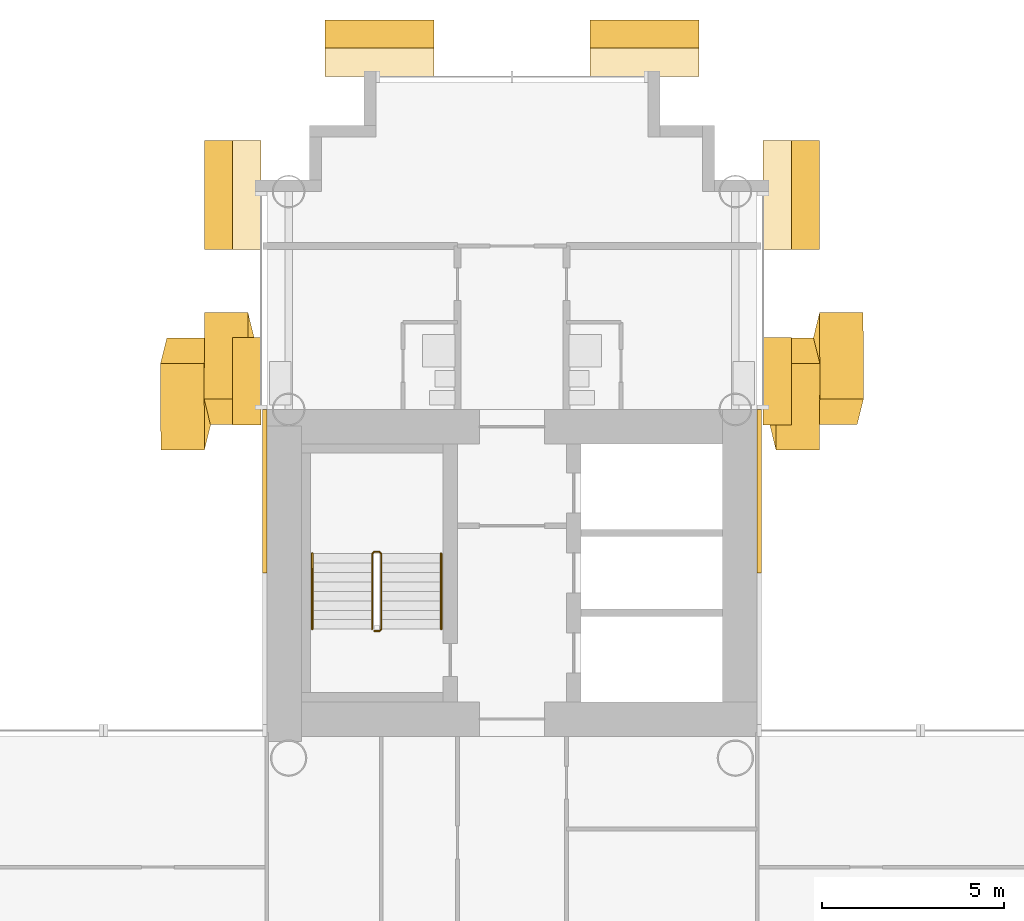
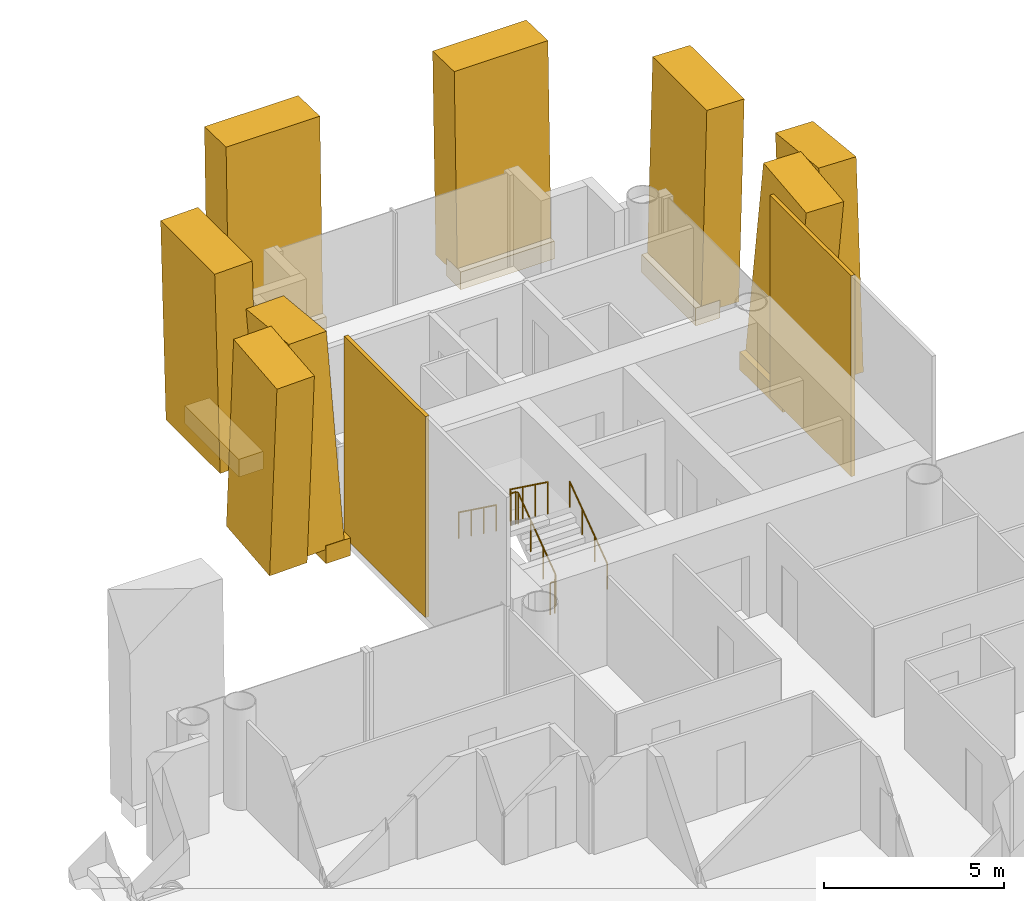
# One storey, part 19 of 20: 16 coverings, 3 railings.
"""IFC4 building model written with IfcOpenShell, lengths in metres."""

from ifc_helpers import new_model, si_unit, direction, frame, origin, origin_2d, place, context, subcontext, project, spatial, rectangle, circle, extrude, material, layer, layer_set, material_profile, profile_set, type_object, element, save


model = new_model("IFC4")

# Units and contexts
model_context = context("Model", 3, precision=1e-05, world=origin(), true_north=direction((0.0, 1.0)))
body_context = subcontext(model_context, "Body", "Model", "MODEL_VIEW")
ifc_project = project(units=[si_unit("LENGTHUNIT", "METRE"), si_unit("AREAUNIT", "SQUARE_METRE"), si_unit("VOLUMEUNIT", "CUBIC_METRE"), si_unit("PLANEANGLEUNIT", "RADIAN"), si_unit("MASSUNIT", "GRAM", prefix="KILO")], contexts=[model_context])

# Site, building, storey
site_placement = place(None, origin())
site = spatial("IfcSite", under=ifc_project, at=site_placement, CompositionType="ELEMENT")
building_placement = place(site_placement, origin())
building = spatial("IfcBuilding", under=site, at=building_placement, Name="Ipe Terrace Towers", CompositionType="ELEMENT")
storey_placement = place(building_placement, frame((0.0, 0.0, 100.39990234375)))
storey = spatial("IfcBuildingStorey", under=building, at=storey_placement, Name="L27", CompositionType="ELEMENT", Elevation=100.39990234375)

# Coverings
ifc_material_1 = material(Name="Concrete C50/60 precast, buff finish", Category="concrete")
ifc_layer = layer(ifc_material_1, 0.1201171875)
ifc_layer_set = layer_set([ifc_layer], Name="STONE CORE CLADDING 120")
covering_type_1 = type_object("IfcCoveringType", Name="STONE CORE CLADDING 120", PredefinedType="CLADDING", material=ifc_layer_set)
for number, where, z_axis, x_axis, name in (
    (1, (29.18994140625, 13.5, 0.0), (0.0, 0.0, 1.0), (0.0, -1.0, 0.0), "stone core cladding"),
    (2, (42.81005859375, 13.5, 0.0), (0.0, 0.0, 1.0), (0.0, 1.0, 0.0), "stone core cladding"),
):
    element("IfcCovering", number, at=place(storey_placement, frame(where, z_axis=z_axis, x_axis=x_axis)), inside=storey, type_object=covering_type_1, Name=name, PredefinedType="CLADDING", context=body_context, shape_type="SweptSolid", body=[
        extrude(rectangle(XDim=4.5009765625, YDim=0.1201171875, at=origin_2d()), origin(), (0.0, 0.0, 1.0), 6.800048828125),
    ])
ifc_material_2 = material(Name="Concrete C50/60 precast, buff finish", Category="concrete")
ifc_material_profile_1 = material_profile(ifc_material_2, rectangle(XDim=2.39990234375, YDim=1.199951171875, at=origin_2d()), Name="STONE FIN 2400 x 1200")
ifc_profile_set_1 = profile_set([ifc_material_profile_1], Name="Concrete C50/60 precast, buff finish")
covering_type_2 = type_object("IfcCoveringType", Name="STONE FIN 2400 x 1200", PredefinedType="USERDEFINED", material=ifc_profile_set_1)
for number, where, z_axis, x_axis, name in (
    (3, (27.10009765625, 16.52490234375, 0.0), (-0.025312794458, -0.102500751607, 0.994410809654), (0.002608318659, -0.994732926931, -0.102467559519), "stone fin"),
    (4, (28.300048828125, 16.52490234375, 0.0), (-0.025312701811, 0.10253607842, 0.994407170001), (-0.002609217613, -0.994729286099, 0.102502874893), "stone fin"),
    (5, (43.699951171875, 16.52490234375, 0.0), (0.025312794458, -0.102500751607, 0.994410809654), (0.002608318659, 0.994732926931, 0.102467559519), "stone fin"),
    (6, (44.89990234375, 16.52490234375, 0.0), (0.025312701811, 0.10253607842, 0.994407170001), (-0.002609217613, 0.994729286099, -0.102502874893), "stone fin"),
):
    element("IfcCovering", number, at=place(storey_placement, frame(where, z_axis=z_axis, x_axis=x_axis)), inside=storey, type_object=covering_type_2, Name=name, ObjectType="FIN", PredefinedType="USERDEFINED", context=body_context, shape_type="SweptSolid", body=[
        extrude(rectangle(XDim=2.39990234375, YDim=1.199951171875, at=origin_2d()), origin(), (0.0, 0.0, 1.0), 6.83837890625),
    ])
ifc_material_3 = material(Name="Concrete C50/60 precast, buff finish", Category="concrete")
ifc_material_profile_2 = material_profile(ifc_material_3, rectangle(XDim=3.0, YDim=1.199951171875, at=origin_2d()), Name="STONE FIN CORNER 3000 x 1200")
ifc_profile_set_2 = profile_set([ifc_material_profile_2], Name="Concrete C50/60 precast, buff finish")
covering_type_3 = type_object("IfcCoveringType", Name="STONE FIN CORNER 3000 x 1200", PredefinedType="USERDEFINED", material=ifc_profile_set_2)
for number, where, z_axis, x_axis, name in (
    (7, (28.300048828125, 21.64990234375, 0.0), (-0.025446824744, 0.0, 0.999676177125), (0.0, -1.0, 0.0), "stone fin"),
    (8, (32.35009765625, 25.699951171875, 0.0), (0.0, 0.025446824744, 0.999676177125), (-1.0, 0.0, 0.0), "stone fin"),
    (9, (39.64990234375, 25.699951171875, 0.0), (0.0, 0.025446824744, 0.999676177125), (-1.0, 0.0, 0.0), "stone fin"),
    (10, (43.699951171875, 21.64990234375, 0.0), (0.025446824744, 0.0, 0.999676177125), (0.0, 1.0, 0.0), "stone fin"),
):
    element("IfcCovering", number, at=place(storey_placement, frame(where, z_axis=z_axis, x_axis=x_axis)), inside=storey, type_object=covering_type_3, Name=name, ObjectType="FIN", PredefinedType="USERDEFINED", context=body_context, shape_type="SweptSolid", body=[
        extrude(rectangle(XDim=3.0, YDim=1.199951171875, at=origin_2d()), origin(), (0.0, 0.0, 1.0), 6.80224609375),
    ])
ifc_material_4 = material(Name="Concrete C50/60 precast, buff finish", Category="concrete")
covering_type_4 = type_object("IfcCoveringType", Name="STONE FIN SHELF 2400 x 600", PredefinedType="CLADDING", material=ifc_material_4)
for number, where, z_axis, x_axis, name in (
    (11, (28.69189453125, 16.52490234375, -0.349853515625), (0.0, 0.0, 1.0), (0.0, -1.0, 0.0), "stone fin shelf"),
    (12, (43.30810546875, 16.52490234375, -0.349853515625), (0.0, 0.0, 1.0), (0.0, 1.0, 0.0), "stone fin shelf"),
):
    element("IfcCovering", number, at=place(storey_placement, frame(where, z_axis=z_axis, x_axis=x_axis)), inside=storey, type_object=covering_type_4, Name=name, PredefinedType="CLADDING", context=body_context, shape_type="SweptSolid", body=[
        extrude(rectangle(XDim=2.39990234375, YDim=0.783935546875, at=origin_2d()), origin(), (0.0, 0.0, 1.0), 0.60009765625),
    ])
ifc_material_5 = material(Name="Concrete C50/60 precast, buff finish", Category="concrete")
covering_type_5 = type_object("IfcCoveringType", Name="STONE FIN SHELF 3000 x 600", PredefinedType="CLADDING", material=ifc_material_5)
for number, where, z_axis, x_axis, name in (
    (13, (28.69189453125, 21.64990234375, -0.349853515625), (0.0, 0.0, 1.0), (0.0, -1.0, 0.0), "stone fin shelf"),
    (14, (32.35009765625, 25.30810546875, -0.349853515625), (0.0, 0.0, 1.0), (-1.0, 0.0, 0.0), "stone fin shelf"),
    (15, (39.64990234375, 25.30810546875, -0.349853515625), (0.0, 0.0, 1.0), (-1.0, 0.0, 0.0), "stone fin shelf"),
    (16, (43.30810546875, 21.64990234375, -0.349853515625), (0.0, 0.0, 1.0), (0.0, 1.0, 0.0), "stone fin shelf"),
):
    element("IfcCovering", number, at=place(storey_placement, frame(where, z_axis=z_axis, x_axis=x_axis)), inside=storey, type_object=covering_type_5, Name=name, PredefinedType="CLADDING", context=body_context, shape_type="SweptSolid", body=[
        extrude(rectangle(XDim=3.0, YDim=0.783935546875, at=origin_2d()), origin(), (0.0, 0.0, 1.0), 0.60009765625),
    ])

# Railings
ifc_material_6 = material(Name="Steel S355", Category="steel")
railing_type_1 = type_object("IfcRailingType", Name="Stair guard 1100", PredefinedType="GUARDRAIL", material=ifc_material_6)
railing_1_placement = place(storey_placement, frame((32.199951171875, 9.64990234375, 0.0)))
element("IfcRailing", 17, at=railing_1_placement, inside=storey, type_object=railing_type_1, Name="L27 T2-ST1 stair guard 1", PredefinedType="GUARDRAIL", context=body_context, shape_type="SweptSolid", body=[
    extrude(circle(Radius=0.02392578125, at=origin_2d()), frame((0.0, 0.0, 1.076171875), z_axis=(1.0, 0.0, 0.0), x_axis=(0.0, 1.0, 0.0)), (0.0, 0.0, 1.0), 0.150146484375),
    extrude(circle(Radius=0.02392578125, at=origin_2d()), frame((0.150146484375, 0.0, 1.076171875), z_axis=(0.246893586699, 0.248103849378, 0.936743314239), x_axis=(-0.708833529934, 0.705375805398, 0.0)), (0.0, 0.0, 1.0), 0.20166015625),
    extrude(circle(Radius=0.02392578125, at=origin_2d()), frame((0.199951171875, 0.050048828125, 1.26513671875), z_axis=(0.0, 0.809023421508, 0.587776406001), x_axis=(-1.0, 0.0, 0.0)), (0.0, 0.0, 1.0), 2.571044921875),
    extrude(circle(Radius=0.02392578125, at=origin_2d()), frame((0.199951171875, 2.130126953125, 2.7763671875), z_axis=(-0.705375805398, 0.708833529934, 0.0), x_axis=(-0.708833529934, -0.705375805398, 0.0)), (0.0, 0.0, 1.0), 0.070556640625),
    extrude(circle(Radius=0.02392578125, at=origin_2d()), frame((0.150146484375, 2.18017578125, 2.7763671875), z_axis=(-1.0, 0.0, 0.0), x_axis=(0.0, -1.0, 0.0)), (0.0, 0.0, 1.0), 0.150146484375),
    extrude(circle(Radius=0.02392578125, at=origin_2d()), frame((0.0, 2.18017578125, 2.7763671875), z_axis=(-0.248310886586, -0.248310886586, 0.936313733321), x_axis=(0.707106781187, -0.707106781187, 0.0)), (0.0, 0.0, 1.0), 0.20166015625),
    extrude(circle(Radius=0.02392578125, at=origin_2d()), frame((-0.050048828125, 2.130126953125, 2.96484375), z_axis=(0.0, -0.809023421508, 0.587776406001), x_axis=(1.0, 0.0, 0.0)), (0.0, 0.0, 1.0), 2.571044921875),
    extrude(circle(Radius=0.02099609375, at=origin_2d()), origin(), (0.0, 0.0, 1.0), 1.052001953125),
    extrude(circle(Radius=0.02099609375, at=origin_2d()), frame((0.150146484375, 0.0, 0.0)), (0.0, 0.0, 1.0), 1.052001953125),
    extrude(circle(Radius=0.02099609375, at=origin_2d()), frame((0.199951171875, 0.050048828125, 0.18896484375)), (0.0, 0.0, 1.0), 1.052001953125),
    extrude(circle(Radius=0.02099609375, at=origin_2d()), frame((0.199951171875, 0.743408203125, 0.692626953125)), (0.0, 0.0, 1.0), 1.052001953125),
    extrude(circle(Radius=0.02099609375, at=origin_2d()), frame((0.199951171875, 1.436767578125, 1.196533203125)), (0.0, 0.0, 1.0), 1.052001953125),
    extrude(circle(Radius=0.02099609375, at=origin_2d()), frame((0.199951171875, 2.130126953125, 1.7001953125)), (0.0, 0.0, 1.0), 1.052001953125),
    extrude(circle(Radius=0.02099609375, at=origin_2d()), frame((0.150146484375, 2.18017578125, 1.7001953125)), (0.0, 0.0, 1.0), 1.052001953125),
    extrude(circle(Radius=0.02099609375, at=origin_2d()), frame((0.0, 2.18017578125, 1.7001953125)), (0.0, 0.0, 1.0), 1.052001953125),
    extrude(circle(Radius=0.02099609375, at=origin_2d()), frame((-0.050048828125, 2.130126953125, 1.888916015625)), (0.0, 0.0, 1.0), 1.052001953125),
    extrude(circle(Radius=0.02099609375, at=origin_2d()), frame((-0.050048828125, 1.436767578125, 2.392578125)), (0.0, 0.0, 1.0), 1.052001953125),
    extrude(circle(Radius=0.02099609375, at=origin_2d()), frame((-0.050048828125, 0.743408203125, 2.896484375)), (0.0, 0.0, 1.0), 1.052001953125),
    extrude(circle(Radius=0.02099609375, at=origin_2d()), frame((-0.050048828125, 0.050048828125, 3.400146484375)), (0.0, 0.0, 1.0), 1.052001953125),
])
ifc_material_7 = material(Name="Stainless steel grade 304", Category="steel")
railing_type_2 = type_object("IfcRailingType", Name="Stair handrail 900", PredefinedType="HANDRAIL", material=ifc_material_7)
railing_2_placement = place(storey_placement, frame((34.050048828125, 9.699951171875, 0.18896484375)))
element("IfcRailing", 18, at=railing_2_placement, inside=storey, type_object=railing_type_2, Name="L27 T2-ST1 stair handrail 1", PredefinedType="HANDRAIL", context=body_context, shape_type="SweptSolid", body=[
    extrude(circle(Radius=0.02392578125, at=origin_2d()), frame((0.0, 0.0, 0.8759765625), z_axis=(0.0, 0.809023421508, 0.587776406001), x_axis=(-1.0, 0.0, 0.0)), (0.0, 0.0, 1.0), 2.571044921875),
    extrude(circle(Radius=0.02099609375, at=origin_2d()), origin(), (0.0, 0.0, 1.0), 0.851806640625),
    extrude(circle(Radius=0.02099609375, at=origin_2d()), frame((0.0, 0.693359375, 0.503662109375)), (0.0, 0.0, 1.0), 0.851806640625),
    extrude(circle(Radius=0.02099609375, at=origin_2d()), frame((0.0, 1.38671875, 1.007568359375)), (0.0, 0.0, 1.0), 0.851806640625),
    extrude(circle(Radius=0.02099609375, at=origin_2d()), frame((0.0, 2.080078125, 1.51123046875)), (0.0, 0.0, 1.0), 0.851806640625),
])
railing_3_placement = place(storey_placement, frame((30.5, 11.780029296875, 1.888916015625)))
element("IfcRailing", 19, at=railing_3_placement, inside=storey, type_object=railing_type_2, Name="L27 T2-ST1 stair handrail 2", PredefinedType="HANDRAIL", context=body_context, shape_type="SweptSolid", body=[
    extrude(circle(Radius=0.02392578125, at=origin_2d()), frame((0.0, 0.0, 0.8759765625), z_axis=(0.0, -0.809023421508, 0.587776406001), x_axis=(1.0, 0.0, 0.0)), (0.0, 0.0, 1.0), 2.571044921875),
    extrude(circle(Radius=0.02099609375, at=origin_2d()), origin(), (0.0, 0.0, 1.0), 0.851806640625),
    extrude(circle(Radius=0.02099609375, at=origin_2d()), frame((0.0, -0.693359375, 0.503662109375)), (0.0, 0.0, 1.0), 0.851806640625),
    extrude(circle(Radius=0.02099609375, at=origin_2d()), frame((0.0, -1.38671875, 1.007568359375)), (0.0, 0.0, 1.0), 0.851806640625),
    extrude(circle(Radius=0.02099609375, at=origin_2d()), frame((0.0, -2.080078125, 1.51123046875)), (0.0, 0.0, 1.0), 0.851806640625),
])

save(model, "model.ifc")
